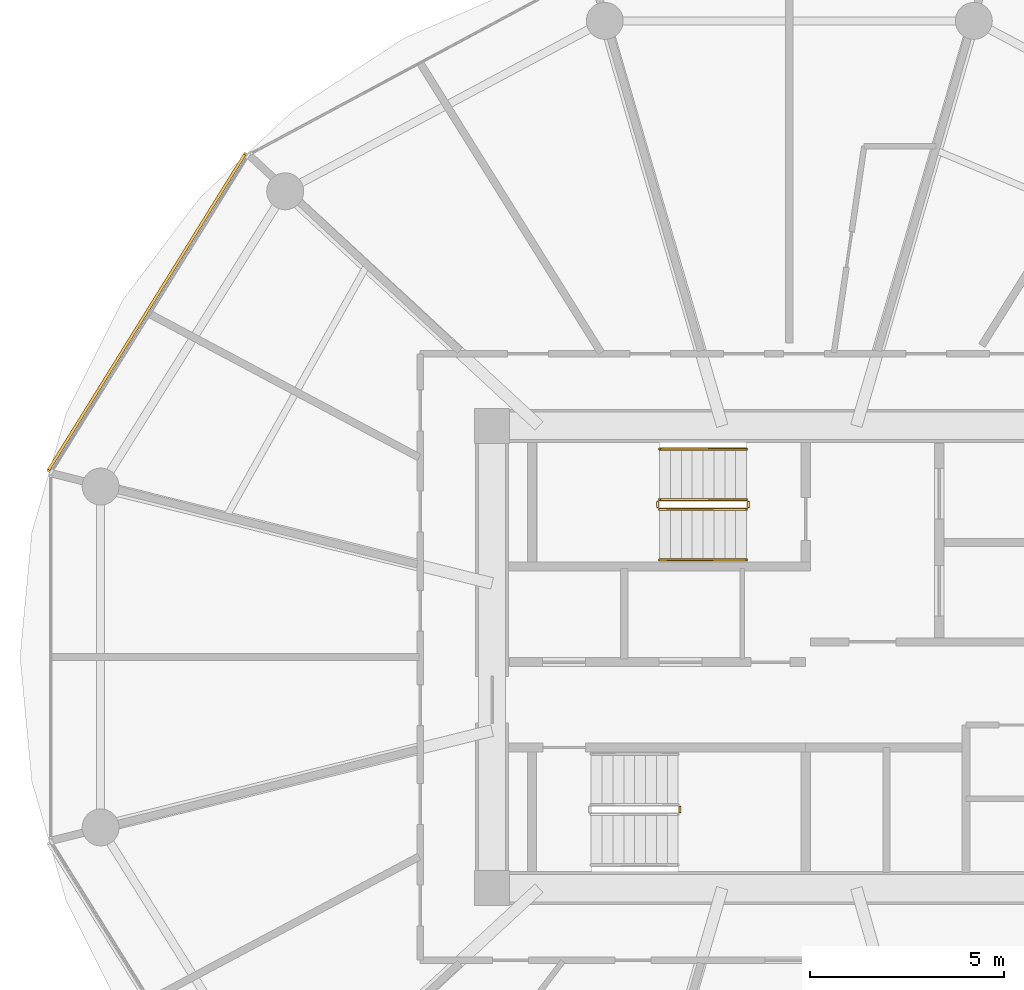
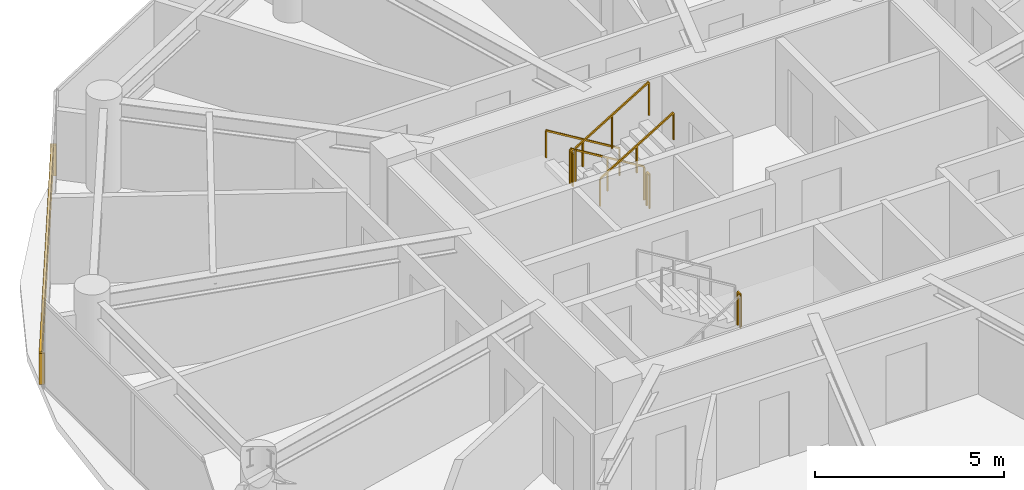
# One storey, part 23 of 26: 7 railings, 1 shading device.
"""IFC4 building model written with IfcOpenShell, lengths in metres."""

import ifcopenshell
import ifcopenshell.guid

model = None  # the IFC model being written
_history = None  # IfcOwnerHistory: only IFC2X3 demands one
_inside = {}  # id of a spatial element -> (the spatial element, [elements in it])
_under = {}  # id of a project, library or spatial element -> (it, [spatial elements below it])
_declared = {}  # id of a project -> (the project, [libraries it declares])
_typed = {}  # id of a type object -> (the type object, [elements of that type])
_made_of = {}  # id of a material, layer set ... -> (it, [elements and type objects made of it])


def new_model(schema):
    """Start an empty IFC model of exactly this schema.

    Asked for "IFC4X3", IfcOpenShell would pick the latest addendum, in which some entities
    have other attributes; the version numbers below select the first issue.
    IFC2X3 requires an IfcOwnerHistory on every rooted entity: one is made here for all.
    """
    global model, _history
    if schema == "IFC4X3":
        model = ifcopenshell.file(schema_version=(4, 3, 0, 0))
    else:
        model = ifcopenshell.file(schema=schema)
    _inside.clear()
    _under.clear()
    _declared.clear()
    _typed.clear()
    _made_of.clear()
    _history = None
    if model.schema == "IFC2X3":
        org = make("IfcOrganization", Name="unknown")
        user = make(
            "IfcPersonAndOrganization",
            ThePerson=make("IfcPerson", FamilyName="unknown"),
            TheOrganization=org,
        )
        app = make(
            "IfcApplication",
            ApplicationDeveloper=org,
            Version="unknown",
            ApplicationFullName="unknown",
            ApplicationIdentifier="unknown",
        )
        _history = make(
            "IfcOwnerHistory",
            OwningUser=user,
            OwningApplication=app,
            ChangeAction="ADDED",
            CreationDate=0,
        )
    return model


def make(cls, **values):
    """One entity of the class cls with the attributes given. An attribute that is None is left unset."""
    return model.create_entity(
        cls, **{name: value for name, value in values.items() if value is not None}
    )


def rooted(cls, **values):
    """An entity with a GlobalId (a new one), such as an element, a storey or a relation."""
    return make(cls, GlobalId=ifcopenshell.guid.new(), OwnerHistory=_history, **values)


def si_unit(unit_type, name, prefix=None):
    """IfcSIUnit, for example si_unit("LENGTHUNIT", "METRE", prefix="MILLI")."""
    return make("IfcSIUnit", UnitType=unit_type, Prefix=prefix, Name=name)


def assignment(units):
    """IfcUnitAssignment: the units of a project."""
    return None if units is None else make("IfcUnitAssignment", Units=units)


def point(xyz):
    """IfcCartesianPoint."""
    return None if xyz is None else make("IfcCartesianPoint", Coordinates=xyz)


def direction(xyz):
    """IfcDirection."""
    return None if xyz is None else make("IfcDirection", DirectionRatios=xyz)


def frame(location, z_axis=None, x_axis=None):
    """IfcAxis2Placement3D, a coordinate frame: its origin and axes. An axis left out is left unset."""
    return make(
        "IfcAxis2Placement3D",
        Location=point(location),
        Axis=direction(z_axis),
        RefDirection=direction(x_axis),
    )


def frame_2d(location, x_axis=None):
    """IfcAxis2Placement2D, a coordinate frame in the plane: its origin and x axis."""
    return make(
        "IfcAxis2Placement2D", Location=point(location), RefDirection=direction(x_axis)
    )


def origin():
    """The frame at (0, 0, 0) with its axes left unset."""
    return frame((0.0, 0.0, 0.0))


def origin_2d():
    """The frame at (0, 0) in the plane with its x axis left unset."""
    return frame_2d((0.0, 0.0))


def place(relative_to, where):
    """IfcLocalPlacement: puts the frame where relative to a parent placement (None: the world)."""
    return make(
        "IfcLocalPlacement", PlacementRelTo=relative_to, RelativePlacement=where
    )


def context(
    kind, dimensions, precision=None, world=None, true_north=None, identifier=None
):
    """IfcGeometricRepresentationContext, for example the 3D "Model" context."""
    return make(
        "IfcGeometricRepresentationContext",
        ContextIdentifier=identifier,
        ContextType=kind,
        CoordinateSpaceDimension=dimensions,
        Precision=precision,
        WorldCoordinateSystem=world,
        TrueNorth=true_north,
    )


def subcontext(parent, identifier, kind, view, scale=None):
    """IfcGeometricRepresentationSubContext, for example "Body" below "Model"."""
    return make(
        "IfcGeometricRepresentationSubContext",
        ContextIdentifier=identifier,
        ContextType=kind,
        ParentContext=parent,
        TargetScale=scale,
        TargetView=view,
    )


def project(units=None, contexts=None):
    """IfcProject with its units and contexts."""
    return rooted(
        "IfcProject",
        Name="project",
        RepresentationContexts=contexts,
        UnitsInContext=assignment(units),
    )


def spatial(cls, under=None, at=None, **own):
    """A site, building, storey or space (cls), placed at a placement, below another one or the project."""
    s = rooted(cls, ObjectPlacement=at, **own)
    if under is not None:
        _under.setdefault(under.id(), (under, []))[1].append(s)
    return s


def profile(cls, at=None, kind="AREA", **sizes):
    """A parametric profile (cls). Its sizes go by their IFC names, for example OverallWidth=200.0."""
    return make(cls, ProfileType=kind, Position=at, **sizes)


def rectangle(**sizes):
    """IfcRectangleProfileDef."""
    return profile("IfcRectangleProfileDef", **sizes)


def extrude(swept, where, along, depth):
    """IfcExtrudedAreaSolid: the profile swept, set in the frame where, extruded along a direction by depth."""
    return make(
        "IfcExtrudedAreaSolid",
        SweptArea=swept,
        Position=where,
        ExtrudedDirection=direction(along),
        Depth=depth,
    )


def shape(context_of_items, identifier, shape_type, items):
    """IfcShapeRepresentation: the items that make up one representation, for example the "Body"."""
    return make(
        "IfcShapeRepresentation",
        ContextOfItems=context_of_items,
        RepresentationIdentifier=identifier,
        RepresentationType=shape_type,
        Items=items,
    )


def source(mapping_origin, context_of_items, identifier, shape_type, items):
    """IfcRepresentationMap: a shape defined once, which mapped items show again and again."""
    return make(
        "IfcRepresentationMap",
        MappingOrigin=mapping_origin,
        MappedRepresentation=shape(context_of_items, identifier, shape_type, items),
    )


def transform(
    local_origin,
    x_axis=None,
    y_axis=None,
    z_axis=None,
    scale=None,
    scale2=None,
    scale3=None,
    uniform=True,
):
    """IfcCartesianTransformationOperator3D, or its non-uniform kind. x_axis, y_axis, z_axis: its Axis1, 2, 3."""
    if uniform:
        return make(
            "IfcCartesianTransformationOperator3D",
            Axis1=direction(x_axis),
            Axis2=direction(y_axis),
            LocalOrigin=point(local_origin),
            Scale=scale,
            Axis3=direction(z_axis),
        )
    return make(
        "IfcCartesianTransformationOperator3DnonUniform",
        Axis1=direction(x_axis),
        Axis2=direction(y_axis),
        LocalOrigin=point(local_origin),
        Scale=scale,
        Axis3=direction(z_axis),
        Scale2=scale2,
        Scale3=scale3,
    )


def mapped(mapping_source, mapping_target):
    """IfcMappedItem: shows the shape of a source again, moved by a transform."""
    return make(
        "IfcMappedItem", MappingSource=mapping_source, MappingTarget=mapping_target
    )


def material(Name=None, Category=None):
    """IfcMaterial."""
    return make("IfcMaterial", Name=Name, Category=Category)


def made_of(thing, what):
    """Note that an element or type object is made of a material, layer set ...; save() writes the relation."""
    if what is not None:
        _made_of.setdefault(what.id(), (what, []))[1].append(thing)
    return thing


def type_object(cls, material=None, **own):
    """A type object (cls), such as IfcWallType, which elements share."""
    return made_of(rooted(cls, **own), material)


def type_shapes(of_type, sources):
    """Give a type object the sources (RepresentationMaps) that its elements show as mapped items."""
    of_type.RepresentationMaps = sources


def element(
    cls,
    number,
    at=None,
    inside=None,
    cuts=None,
    type_object=None,
    material=None,
    context=None,
    identifier="Body",
    shape_type=None,
    held_by="IfcProductDefinitionShape",
    body=None,
    shapes=None,
    **own,
):
    """One element of the class cls, such as IfcWall. Its Tag is "e" and its number.

    at: its placement. inside: the storey or other place that contains it. cuts: it is an
    opening in that element (IfcRelVoidsElement). A single representation is given by context,
    identifier, shape_type and body (its items); several are given by shapes. held_by: the class
    of the entity that holds the representations. save() writes the other relations.
    """
    e = rooted(cls, Tag="e%d" % number, ObjectPlacement=at, **own)
    if body is not None:
        shapes = [shape(context, identifier, shape_type, body)]
    if shapes is not None:
        e.Representation = make(held_by, Representations=shapes)
    if inside is not None:
        _inside.setdefault(inside.id(), (inside, []))[1].append(e)
    if cuts is not None:
        rooted(
            "IfcRelVoidsElement", RelatingBuildingElement=cuts, RelatedOpeningElement=e
        )
    if type_object is not None:
        _typed.setdefault(type_object.id(), (type_object, []))[1].append(e)
    return made_of(e, material)


def aggregate(whole, parts):
    """IfcRelAggregates: a whole, such as a stair, and the parts it consists of."""
    return rooted("IfcRelAggregates", RelatingObject=whole, RelatedObjects=parts)


def save(model, path):
    """Write the relations noted so far, then the file.

    IfcRelAggregates (storeys below a building ...), IfcRelContainedInSpatialStructure (elements
    in a storey), IfcRelDefinesByType, IfcRelAssociatesMaterial and IfcRelDeclares: one each for
    every whole, place, type object, material and project.
    """
    for whole, parts in _under.values():
        aggregate(whole, parts)
    for where, things in _inside.values():
        rooted(
            "IfcRelContainedInSpatialStructure",
            RelatedElements=things,
            RelatingStructure=where,
        )
    for kind, things in _typed.values():
        rooted("IfcRelDefinesByType", RelatedObjects=things, RelatingType=kind)
    for what, things in _made_of.values():
        rooted("IfcRelAssociatesMaterial", RelatedObjects=things, RelatingMaterial=what)
    for by, libraries in _declared.values():
        rooted("IfcRelDeclares", RelatingContext=by, RelatedDefinitions=libraries)
    model.write(path)


model = new_model("IFC4")

# Units and contexts
model_context = context("Model", 3, precision=1e-05, world=origin(), true_north=direction((0.0, 1.0)))
body_context = subcontext(model_context, "Body", "Model", "MODEL_VIEW")
ifc_project = project(units=[si_unit("LENGTHUNIT", "METRE"), si_unit("AREAUNIT", "SQUARE_METRE"), si_unit("VOLUMEUNIT", "CUBIC_METRE"), si_unit("PLANEANGLEUNIT", "RADIAN"), si_unit("MASSUNIT", "GRAM", prefix="KILO")], contexts=[model_context])

# Site, building, storey
site_placement = place(None, origin())
site = spatial("IfcSite", under=ifc_project, at=site_placement, CompositionType="ELEMENT")
building_placement = place(site_placement, origin())
building = spatial("IfcBuilding", under=site, at=building_placement, Name="Norrkilde Senior Care Towers", CompositionType="ELEMENT")
storey_placement = place(building_placement, frame((0.0, 0.0, 55.14990234375)))
storey = spatial("IfcBuildingStorey", under=building, at=storey_placement, Name="L16", CompositionType="ELEMENT", Elevation=55.14990234375)

# Railings
ifc_material_1 = material(Name="Stainless Steel", Category="steel")
railing_type_1 = type_object("IfcRailingType", Name="Stair and Terrace Guardrail 1100", PredefinedType="GUARDRAIL", material=ifc_material_1)
railing_1_placement = place(storey_placement, frame((-29.10009765625, 4.050048828125, 0.16943359375)))
element("IfcRailing", 1, at=railing_1_placement, inside=storey, type_object=railing_type_1, Name="L16 ST-W1 stair guard 1", PredefinedType="GUARDRAIL", context=body_context, shape_type="SweptSolid", body=[
    extrude(rectangle(XDim=0.048095703125, YDim=0.048095703125, at=origin_2d()), frame((0.0, 0.0, 1.076171875), z_axis=(-0.855512035549, 0.0, 0.517782924622), x_axis=(0.0, -1.0, 0.0)), (0.0, 0.0, 1.0), 2.618408203125),
    extrude(rectangle(XDim=0.0419921875, YDim=0.0419921875, at=origin_2d()), origin(), (0.0, 0.0, 1.0), 1.050048828125),
    extrude(rectangle(XDim=0.0419921875, YDim=0.0419921875, at=origin_2d()), frame((-1.1201171875, 0.0, 0.677734375)), (0.0, 0.0, 1.0), 1.050048828125),
    extrude(rectangle(XDim=0.0419921875, YDim=0.0419921875, at=origin_2d()), frame((-2.239990234375, 0.0, 1.355712890625)), (0.0, 0.0, 1.0), 1.050048828125),
])
railing_2_placement = place(storey_placement, frame((-31.389892578125, 4.0, 1.525146484375)))
element("IfcRailing", 2, at=railing_2_placement, inside=storey, type_object=railing_type_1, Name="L16 ST-W1 stair guard 2", PredefinedType="GUARDRAIL", context=body_context, shape_type="SweptSolid", body=[
    extrude(rectangle(XDim=0.048095703125, YDim=0.048095703125, at=origin_2d()), frame((0.0, 0.0, 1.076171875), z_axis=(0.0, -1.0, 0.0), x_axis=(1.0, 0.0, 0.0)), (0.0, 0.0, 1.0), 0.14990234375),
    extrude(rectangle(XDim=0.0419921875, YDim=0.0419921875, at=origin_2d()), origin(), (0.0, 0.0, 1.0), 1.050048828125),
    extrude(rectangle(XDim=0.0419921875, YDim=0.0419921875, at=origin_2d()), frame((0.0, -0.14990234375, 0.0)), (0.0, 0.0, 1.0), 1.050048828125),
])
railing_3_placement = place(storey_placement, frame((-31.340087890625, 3.800048828125, 1.694580078125)))
element("IfcRailing", 3, at=railing_3_placement, inside=storey, type_object=railing_type_1, Name="L16 ST-W1 stair guard 3", PredefinedType="GUARDRAIL", context=body_context, shape_type="SweptSolid", body=[
    extrude(rectangle(XDim=0.048095703125, YDim=0.048095703125, at=origin_2d()), frame((0.0, 0.0, 1.076171875), z_axis=(0.855553338991, 0.0, 0.51771467445), x_axis=(0.0, 1.0, 0.0)), (0.0, 0.0, 1.0), 2.6181640625),
    extrude(rectangle(XDim=0.0419921875, YDim=0.0419921875, at=origin_2d()), origin(), (0.0, 0.0, 1.0), 1.050048828125),
    extrude(rectangle(XDim=0.0419921875, YDim=0.0419921875, at=origin_2d()), frame((1.1201171875, 0.0, 0.677734375)), (0.0, 0.0, 1.0), 1.050048828125),
    extrude(rectangle(XDim=0.0419921875, YDim=0.0419921875, at=origin_2d()), frame((2.239990234375, 0.0, 1.35546875)), (0.0, 0.0, 1.0), 1.050048828125),
])
railing_4_placement = place(storey_placement, frame((-29.050048828125, 4.0, 0.0)))
element("IfcRailing", 4, at=railing_4_placement, inside=storey, type_object=railing_type_1, Name="L16 ST-W1 stair guard 4", PredefinedType="GUARDRAIL", context=body_context, shape_type="SweptSolid", body=[
    extrude(rectangle(XDim=0.048095703125, YDim=0.048095703125, at=origin_2d()), frame((0.0, 0.0, 1.076171875), z_axis=(0.0, -1.0, 0.0), x_axis=(1.0, 0.0, 0.0)), (0.0, 0.0, 1.0), 0.14990234375),
    extrude(rectangle(XDim=0.0419921875, YDim=0.0419921875, at=origin_2d()), origin(), (0.0, 0.0, 1.0), 1.050048828125),
    extrude(rectangle(XDim=0.0419921875, YDim=0.0419921875, at=origin_2d()), frame((0.0, -0.14990234375, 0.0)), (0.0, 0.0, 1.0), 1.050048828125),
])
railing_5_placement = place(storey_placement, frame((-30.81005859375, -4.0, 1.525146484375)))
element("IfcRailing", 5, at=railing_5_placement, inside=storey, type_object=railing_type_1, Name="L16 ST-W2 stair guard 2", PredefinedType="GUARDRAIL", context=body_context, shape_type="SweptSolid", body=[
    extrude(rectangle(XDim=0.048095703125, YDim=0.048095703125, at=origin_2d()), frame((0.0, 0.0, 1.076171875), z_axis=(0.0, 1.0, 0.0), x_axis=(-1.0, 0.0, 0.0)), (0.0, 0.0, 1.0), 0.14990234375),
    extrude(rectangle(XDim=0.0419921875, YDim=0.0419921875, at=origin_2d()), origin(), (0.0, 0.0, 1.0), 1.050048828125),
    extrude(rectangle(XDim=0.0419921875, YDim=0.0419921875, at=origin_2d()), frame((0.0, 0.14990234375, 0.0)), (0.0, 0.0, 1.0), 1.050048828125),
])
ifc_material_2 = material(Name="Nordic Ash Timber", Category="wood")
railing_type_2 = type_object("IfcRailingType", Name="Wall and Stair Handrail 900", PredefinedType="HANDRAIL", material=ifc_material_2)
railing_6_placement = place(storey_placement, frame((-29.10009765625, 5.35009765625, 0.16943359375)))
element("IfcRailing", 6, at=railing_6_placement, inside=storey, type_object=railing_type_2, Name="L16 ST-W1 stair handrail 1", PredefinedType="HANDRAIL", context=body_context, shape_type="SweptSolid", body=[
    extrude(rectangle(XDim=0.048095703125, YDim=0.048095703125, at=origin_2d()), frame((0.0, 0.0, 0.8759765625), z_axis=(-0.855512035549, 0.0, 0.517782924622), x_axis=(0.0, -1.0, 0.0)), (0.0, 0.0, 1.0), 2.618408203125),
    extrude(rectangle(XDim=0.0419921875, YDim=0.0419921875, at=origin_2d()), origin(), (0.0, 0.0, 1.0), 0.849853515625),
    extrude(rectangle(XDim=0.0419921875, YDim=0.0419921875, at=origin_2d()), frame((-1.1201171875, 0.0, 0.677734375)), (0.0, 0.0, 1.0), 0.849853515625),
    extrude(rectangle(XDim=0.0419921875, YDim=0.0419921875, at=origin_2d()), frame((-2.239990234375, 0.0, 1.355712890625)), (0.0, 0.0, 1.0), 0.849853515625),
])
railing_7_placement = place(storey_placement, frame((-31.340087890625, 2.5, 1.694580078125)))
element("IfcRailing", 7, at=railing_7_placement, inside=storey, type_object=railing_type_2, Name="L16 ST-W1 stair handrail 2", PredefinedType="HANDRAIL", context=body_context, shape_type="SweptSolid", body=[
    extrude(rectangle(XDim=0.048095703125, YDim=0.048095703125, at=origin_2d()), frame((0.0, 0.0, 0.8759765625), z_axis=(0.855553338991, 0.0, 0.51771467445), x_axis=(0.0, 1.0, 0.0)), (0.0, 0.0, 1.0), 2.6181640625),
    extrude(rectangle(XDim=0.0419921875, YDim=0.0419921875, at=origin_2d()), origin(), (0.0, 0.0, 1.0), 0.849853515625),
    extrude(rectangle(XDim=0.0419921875, YDim=0.0419921875, at=origin_2d()), frame((1.1201171875, 0.0, 0.677734375)), (0.0, 0.0, 1.0), 0.849853515625),
    extrude(rectangle(XDim=0.0419921875, YDim=0.0419921875, at=origin_2d()), frame((2.239990234375, 0.0, 1.35546875)), (0.0, 0.0, 1.0), 0.849853515625),
])

# Shading device
ifc_material_3 = material(Name="Architectural Terracotta", Category="masonry")
shading_device_type = type_object("IfcShadingDeviceType", Name="Horizontal Terracotta Baguette Rack", PredefinedType="USERDEFINED", material=ifc_material_3)
shared_shape = source(origin(), body_context, "Body", "SweptSolid", [
    extrude(rectangle(XDim=0.070068359375, YDim=0.110107421875, at=origin_2d()), frame((0.0, 0.090087890625, 0.125), z_axis=(1.0, 0.0, 0.0), x_axis=(0.0, 1.0, 0.0)), (0.0, 0.0, 1.0), 9.64892578125),
    extrude(rectangle(XDim=0.070068359375, YDim=0.110107421875, at=origin_2d()), frame((0.0, 0.090087890625, 0.375), z_axis=(1.0, 0.0, 0.0), x_axis=(0.0, 1.0, 0.0)), (0.0, 0.0, 1.0), 9.64892578125),
    extrude(rectangle(XDim=0.070068359375, YDim=0.110107421875, at=origin_2d()), frame((0.0, 0.090087890625, 0.625), z_axis=(1.0, 0.0, 0.0), x_axis=(0.0, 1.0, 0.0)), (0.0, 0.0, 1.0), 9.64892578125),
    extrude(rectangle(XDim=0.070068359375, YDim=0.110107421875, at=origin_2d()), frame((0.0, 0.090087890625, 0.875), z_axis=(1.0, 0.0, 0.0), x_axis=(0.0, 1.0, 0.0)), (0.0, 0.0, 1.0), 9.64892578125),
    extrude(rectangle(XDim=0.050048828125, YDim=0.1552734375, at=origin_2d()), frame((0.02490234375, 0.047607421875, 0.0)), (0.0, 0.0, 1.0), 1.0),
    extrude(rectangle(XDim=0.050048828125, YDim=0.1552734375, at=origin_2d()), frame((9.6240234375, 0.047607421875, 0.0)), (0.0, 0.0, 1.0), 1.0),
])
type_shapes(shading_device_type, [shared_shape])
shading_device_placement = place(storey_placement, frame((-47.009521484375, 4.731201171875, 0.080078125), z_axis=(0.0, 0.0, 1.0), x_axis=(0.527908506655, 0.849299124538, 0.0)))
element("IfcShadingDevice", 8, at=shading_device_placement, inside=storey, type_object=shading_device_type, Name="L16 Drum W Terracotta Baguette Screen 04", ObjectType="BAGUETTE", PredefinedType="USERDEFINED", context=body_context, shape_type="MappedRepresentation", body=[
    mapped(shared_shape, transform((0.0, 0.0, 0.0), x_axis=(1.0, 0.0, 0.0), y_axis=(0.0, 1.0, 0.0), z_axis=(0.0, 0.0, 1.0), scale=1.0)),
])

save(model, "model.ifc")
